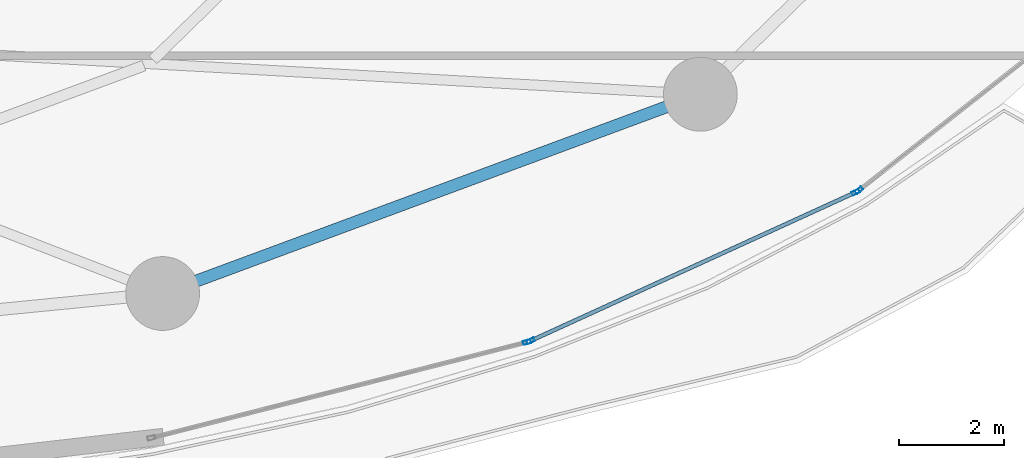
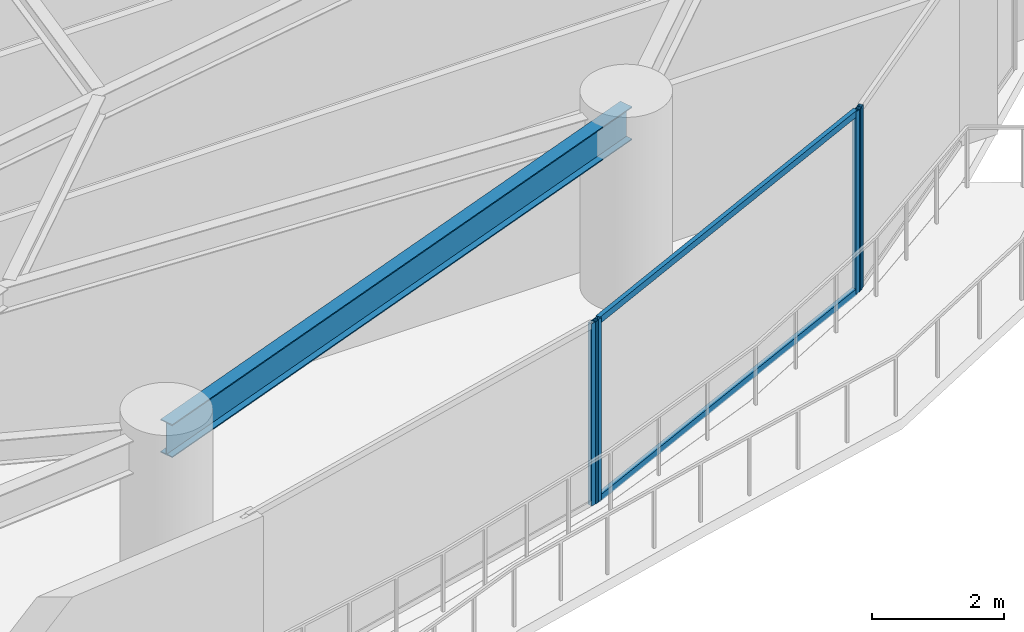
# One storey, part 13 of 34: 6 members, 1 beam, 3 elements without a shape of their own.
"""IFC4 building model written with IfcOpenShell, lengths in metres."""

from ifc_helpers import new_model, si_unit, direction, frame, origin, origin_2d, place, context, subcontext, project, spatial, hollow_rectangle, i_section, extrude, material, layer, layer_set, material_profile, profile_set, type_object, element, aggregate, save


model = new_model("IFC4")

# Units and contexts
model_context = context("Model", 3, precision=1e-05, world=origin(), true_north=direction((0.0, 1.0)))
body_context = subcontext(model_context, "Body", "Model", "MODEL_VIEW")
ifc_project = project(units=[si_unit("LENGTHUNIT", "METRE"), si_unit("AREAUNIT", "SQUARE_METRE"), si_unit("VOLUMEUNIT", "CUBIC_METRE"), si_unit("PLANEANGLEUNIT", "RADIAN"), si_unit("MASSUNIT", "GRAM", prefix="KILO")], contexts=[model_context])

# Site, building, storey
site_placement = place(None, origin())
site = spatial("IfcSite", under=ifc_project, at=site_placement, CompositionType="ELEMENT")
building_placement = place(site_placement, origin())
building = spatial("IfcBuilding", under=site, at=building_placement, Name="Kazevale Care Tower and Concert Hall", CompositionType="ELEMENT")
storey_placement = place(building_placement, frame((0.0, 0.0, 67.199951171875)))
storey = spatial("IfcBuildingStorey", under=building, at=storey_placement, Name="L17", CompositionType="ELEMENT", Elevation=67.199951171875)

# Curtain wall, member
ifc_material_1 = material(Name="Aluminium 6063-T6 and Low-E Glass", Category="aluminium")
ifc_layer = layer(ifc_material_1, 0.179931640625)
ifc_layer_set = layer_set([ifc_layer], Name="Aluminium 6063-T6 and Low-E Glass")
curtain_wall_type = type_object("IfcCurtainWallType", Name="Sheltered Concave Balcony Curtain Wall CW-5", PredefinedType="NOTDEFINED", material=ifc_layer_set)
curtain_wall_1_placement = place(storey_placement, origin())
curtain_wall_1 = element("IfcCurtainWall", 1, at=curtain_wall_1_placement, inside=storey, type_object=curtain_wall_type, Name="cw:L17:f02", PredefinedType="NOTDEFINED")
ifc_material_2 = material(Name="Aluminium 6063-T6", Category="aluminium")
ifc_material_profile_1 = material_profile(ifc_material_2, hollow_rectangle(XDim=0.074951171875, YDim=0.14990234375, WallThickness=0.00390625, at=origin_2d()), Name="ALU75x150x4")
ifc_profile_set_1 = profile_set([ifc_material_profile_1], Name="Aluminium 6063-T6")
member_type_1 = type_object("IfcMemberType", Name="CW-5 Mullion ALU75x150x4", PredefinedType="MULLION", material=ifc_profile_set_1)
member_1_placement = place(storey_placement, frame((70.25146484375, 20.490234375, 0.0), z_axis=(0.0, 0.0, 1.0), x_axis=(0.617807548814, -0.78632934107, 0.0)))
member_1 = element("IfcMember", 2, at=member_1_placement, type_object=member_type_1, Name="CW-5 mullion 2", PredefinedType="MULLION", context=body_context, shape_type="SweptSolid", body=[
    extrude(hollow_rectangle(XDim=0.074951171875, YDim=0.14990234375, WallThickness=0.00390625, at=origin_2d()), origin(), (0.0, 0.0, 1.0), 3.360107421875),
])
aggregate(curtain_wall_1, [member_1])

# Curtain wall, members
curtain_wall_2_placement = place(storey_placement, origin())
curtain_wall_2 = element("IfcCurtainWall", 3, at=curtain_wall_2_placement, inside=storey, type_object=curtain_wall_type, Name="cw:L17:f03", PredefinedType="NOTDEFINED")
member_2_placement = place(storey_placement, frame((70.18798828125, 20.451416015625, 0.0), z_axis=(0.0, 0.0, 1.0), x_axis=(0.415659767773, -0.909520179795, 0.0)))
member_2 = element("IfcMember", 4, at=member_2_placement, type_object=member_type_1, Name="CW-5 mullion 1", PredefinedType="MULLION", context=body_context, shape_type="SweptSolid", body=[
    extrude(hollow_rectangle(XDim=0.074951171875, YDim=0.14990234375, WallThickness=0.00390625, at=origin_2d()), origin(), (0.0, 0.0, 1.0), 3.360107421875),
])
member_3_placement = place(storey_placement, frame((64.022216796875, 17.633544921875, 0.0), z_axis=(0.0, 0.0, 1.0), x_axis=(0.415659767773, -0.909520179795, 0.0)))
member_3 = element("IfcMember", 5, at=member_3_placement, type_object=member_type_1, Name="CW-5 mullion 2", PredefinedType="MULLION", context=body_context, shape_type="SweptSolid", body=[
    extrude(hollow_rectangle(XDim=0.074951171875, YDim=0.14990234375, WallThickness=0.00390625, at=origin_2d()), origin(), (0.0, 0.0, 1.0), 3.360107421875),
])

# Curtain wall, member
curtain_wall_3_placement = place(storey_placement, origin())
curtain_wall_3 = element("IfcCurtainWall", 6, at=curtain_wall_3_placement, inside=storey, type_object=curtain_wall_type, Name="cw:L17:f04", PredefinedType="NOTDEFINED")
member_4_placement = place(storey_placement, frame((63.95166015625, 17.608642578125, 0.0), z_axis=(0.0, 0.0, 1.0), x_axis=(0.247221864936, -0.968958899798, 0.0)))
member_4 = element("IfcMember", 7, at=member_4_placement, type_object=member_type_1, Name="CW-5 mullion 1", PredefinedType="MULLION", context=body_context, shape_type="SweptSolid", body=[
    extrude(hollow_rectangle(XDim=0.074951171875, YDim=0.14990234375, WallThickness=0.00390625, at=origin_2d()), origin(), (0.0, 0.0, 1.0), 3.360107421875),
])
aggregate(curtain_wall_3, [member_4])

# Member
ifc_material_profile_2 = material_profile(ifc_material_2, hollow_rectangle(XDim=0.074951171875, YDim=0.1201171875, WallThickness=0.00390625, at=origin_2d()), Name="ALU75x120x4")
ifc_profile_set_2 = profile_set([ifc_material_profile_2], Name="Aluminium 6063-T6")
member_type_2 = type_object("IfcMemberType", Name="CW-5 Transom ALU75x120x4", PredefinedType="USERDEFINED", material=ifc_profile_set_2)
member_5_placement = place(storey_placement, frame((70.15380859375, 20.435791015625, 0.03759765625), z_axis=(-0.909524040017, -0.415651320978, 0.0), x_axis=(0.415651320978, -0.909524040017, 0.0)))
member_5 = element("IfcMember", 8, at=member_5_placement, type_object=member_type_2, Name="CW-5 transom 1.1", ObjectType="TRANSOM", PredefinedType="USERDEFINED", context=body_context, shape_type="SweptSolid", body=[
    extrude(hollow_rectangle(XDim=0.074951171875, YDim=0.1201171875, WallThickness=0.00390625, at=origin_2d()), origin(), (0.0, 0.0, 1.0), 6.704345703125),
])

member_6_placement = place(storey_placement, frame((70.15380859375, 20.435791015625, 3.322509765625), z_axis=(-0.909524040017, -0.415651320978, 0.0), x_axis=(0.415651320978, -0.909524040017, 0.0)))
member_6 = element("IfcMember", 9, at=member_6_placement, type_object=member_type_2, Name="CW-5 transom 1.2", ObjectType="TRANSOM", PredefinedType="USERDEFINED", context=body_context, shape_type="SweptSolid", body=[
    extrude(hollow_rectangle(XDim=0.074951171875, YDim=0.1201171875, WallThickness=0.00390625, at=origin_2d()), origin(), (0.0, 0.0, 1.0), 6.704345703125),
])

aggregate(curtain_wall_2, [member_2, member_3, member_5, member_6])

# Beam
ifc_material_3 = material(Name="Steel ASTM A572 Gr 50", Category="steel")
ifc_material_profile_3 = material_profile(ifc_material_3, i_section(OverallWidth=0.22900390625, OverallDepth=0.612060546875, WebThickness=0.011962890625, FlangeThickness=0.01953125, at=origin_2d()), Name="W610x125")
ifc_profile_set_3 = profile_set([ifc_material_profile_3], Name="Steel ASTM A572 Gr 50")
beam_type = type_object("IfcBeamType", Name="Ring Spandrel Beam W610x125", PredefinedType="SPANDREL", material=ifc_profile_set_3)
beam_placement = place(storey_placement, frame((57.0400390625, 18.530029296875, 3.053955078125), z_axis=(0.937680788596, 0.347497825458, 0.0), x_axis=(-0.347497825458, 0.937680788596, 0.0)))
element("IfcBeam", 10, at=beam_placement, inside=storey, type_object=beam_type, Name="beam:L17:ring:14", PredefinedType="SPANDREL", context=body_context, shape_type="SweptSolid", body=[
    extrude(i_section(OverallWidth=0.22900390625, OverallDepth=0.612060546875, WebThickness=0.011962890625, FlangeThickness=0.01953125, at=origin_2d()), origin(), (0.0, 0.0, 1.0), 10.8779296875),
])

save(model, "model.ifc")
